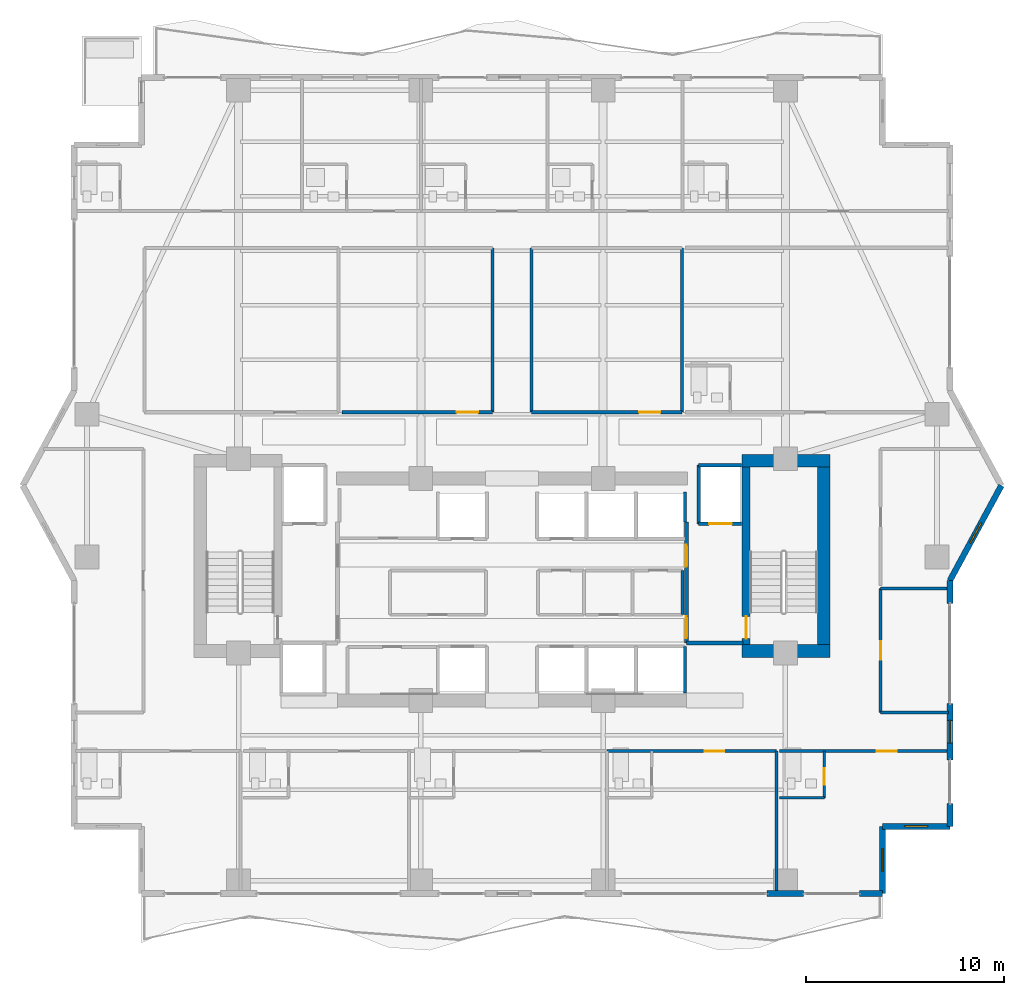
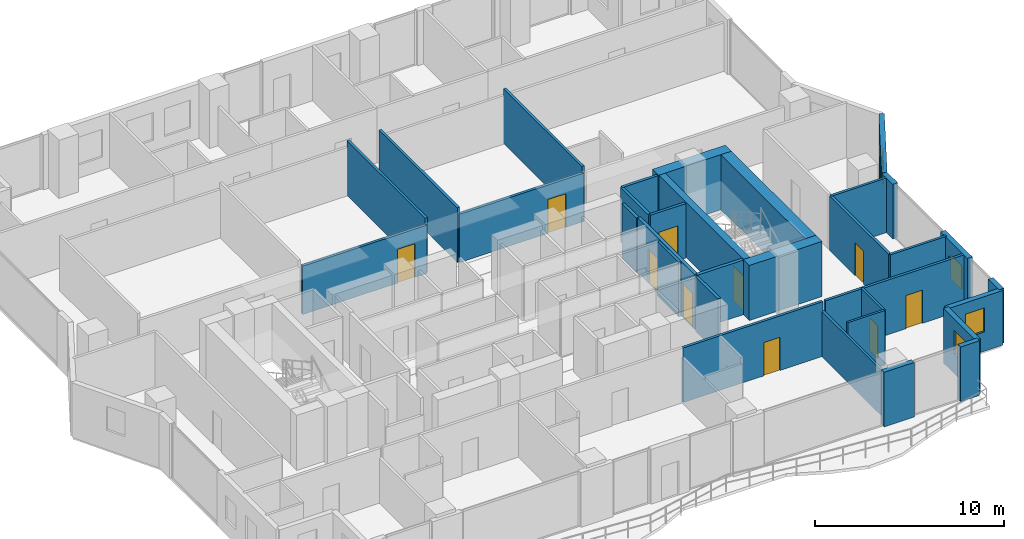
# One storey, part 26 of 32: 33 walls, 10 doors, 4 windows, 14 openings.
"""IFC4 building model written with IfcOpenShell, lengths in metres."""

from ifc_helpers import new_model, si_unit, direction, frame, frame_2d, origin, place, context, subcontext, project, spatial, rectangle, extrude, material, layer, layer_set, type_object, element, fill, save


model = new_model("IFC4")

# Units and contexts
model_context = context("Model", 3, precision=1e-05, world=origin(), true_north=direction((0.0, 1.0)))
body_context = subcontext(model_context, "Body", "Model", "MODEL_VIEW")
ifc_project = project(units=[si_unit("LENGTHUNIT", "METRE"), si_unit("AREAUNIT", "SQUARE_METRE"), si_unit("VOLUMEUNIT", "CUBIC_METRE"), si_unit("PLANEANGLEUNIT", "RADIAN"), si_unit("MASSUNIT", "GRAM", prefix="KILO")], contexts=[model_context])

# Site, building, storey
site_placement = place(None, origin())
site = spatial("IfcSite", under=ifc_project, at=site_placement, CompositionType="ELEMENT")
building_placement = place(site_placement, origin())
building = spatial("IfcBuilding", under=site, at=building_placement, Name="Zuhayl Quay Hotel", CompositionType="ELEMENT")
storey_placement = place(building_placement, frame((0.0, 0.0, 177.39990234375)))
storey = spatial("IfcBuildingStorey", under=building, at=storey_placement, Name="L44", CompositionType="ELEMENT", Elevation=177.39990234375)

# Walls
ifc_material_1 = material(Name="Concrete C50/60", Category="concrete")
ifc_layer_1 = layer(ifc_material_1, 0.64990234375, Name="Concrete C50/60", Category="concrete")
ifc_layer_set_1 = layer_set([ifc_layer_1], Name="Concrete C50/60")
wall_type_1 = type_object("IfcWallType", Name="WL_CORE_650", PredefinedType="SHEAR", material=ifc_layer_set_1)
wall_1_placement = place(storey_placement, frame((11.60009765625, 14.2548828125, 0.0), z_axis=(0.0, 0.0, 1.0), x_axis=(1.0, 0.0, 0.0)))
element("IfcWall", 1, at=wall_1_placement, inside=storey, type_object=wall_type_1, Name="L44 Core Shear Wall CW_NE", PredefinedType="SHEAR", context=body_context, shape_type="SweptSolid", body=[
    extrude(rectangle(XDim=4.4599609375, YDim=0.64990234375, at=frame_2d((2.22998046875, 0.0))), origin(), (0.0, 0.0, 1.0), 3.56005859375),
])
wall_2_placement = place(storey_placement, frame((15.735107421875, 4.969970703125, 0.0), z_axis=(0.0, 0.0, 1.0), x_axis=(0.0, 1.0, 0.0)))
element("IfcWall", 2, at=wall_2_placement, inside=storey, type_object=wall_type_1, Name="L44 Core Shear Wall CW_E", PredefinedType="SHEAR", context=body_context, shape_type="SweptSolid", body=[
    extrude(rectangle(XDim=8.9599609375, YDim=0.64990234375, at=frame_2d((4.47998046875, 0.0))), origin(), (0.0, 0.0, 1.0), 3.56005859375),
])
wall_3_placement = place(storey_placement, frame((11.60009765625, 4.64501953125, 0.0), z_axis=(0.0, 0.0, 1.0), x_axis=(1.0, 0.0, 0.0)))
element("IfcWall", 3, at=wall_3_placement, inside=storey, type_object=wall_type_1, Name="L44 Core Shear Wall CW_SE", PredefinedType="SHEAR", context=body_context, shape_type="SweptSolid", body=[
    extrude(rectangle(XDim=4.4599609375, YDim=0.64990234375, at=frame_2d((2.22998046875, 0.0))), origin(), (0.0, 0.0, 1.0), 3.56005859375),
])

# Wall, opening, window
ifc_material_2 = material(Name="Precast concrete C45/55", Category="concrete")
ifc_layer_2 = layer(ifc_material_2, 0.300048828125, Name="Precast concrete C45/55", Category="concrete")
ifc_layer_set_2 = layer_set([ifc_layer_2], Name="Precast concrete C45/55")
wall_type_2 = type_object("IfcWallType", Name="WL_EXT_300", PredefinedType="STANDARD", material=ifc_layer_set_2)
wall_4_placement = place(storey_placement, frame((24.699951171875, 13.0, 0.0), z_axis=(0.0, 0.0, 1.0), x_axis=(-0.476258655584, -0.879305233114, 0.0)))
wall_4 = element("IfcWall", 4, at=wall_4_placement, inside=storey, type_object=wall_type_2, Name="L44 Exterior Precast Wall ENV_L44_EW13", PredefinedType="STANDARD", context=body_context, shape_type="SweptSolid", body=[
    extrude(rectangle(XDim=5.458984375, YDim=0.300048828125, at=frame_2d((2.7294921875, 0.0))), origin(), (0.0, 0.0, 1.0), 3.530029296875),
])
opening_1_placement = place(wall_4_placement, frame((2.154541015625, 0.0, 1.25)))
opening_1 = element("IfcOpeningElement", 5, at=opening_1_placement, cuts=wall_4, Name="Opening W01N", PredefinedType="OPENING", context=body_context, shape_type="SweptSolid", body=[
    extrude(rectangle(XDim=1.14990234375, YDim=1.550048828125, at=frame_2d((0.574951171875, 0.77490234375))), frame((0.0, 0.159912109375, 0.0), z_axis=(0.0, -1.0, 0.0), x_axis=(1.0, 0.0, 0.0)), (0.0, 0.0, 1.0), 0.320068359375),
])
ifc_material_3 = material(Name="Dark Ceramic-Fritted Solar Glass", Category="glass")
window_type = type_object("IfcWindowType", Name="WN_NOTCH_1350", PartitioningType="SINGLE_PANEL", PredefinedType="WINDOW", material=ifc_material_3)
window_1_placement = place(opening_1_placement, origin())
window_1 = element("IfcWindow", 6, at=window_1_placement, inside=storey, type_object=window_type, Name="L44 Corner Notch Window 13", OverallHeight=1.550048828125, OverallWidth=1.14990234375, PartitioningType="SINGLE_PANEL", PredefinedType="WINDOW", context=body_context, shape_type="SweptSolid", body=[
    extrude(rectangle(XDim=1.14990234375, YDim=1.550048828125, at=frame_2d((0.574951171875, 0.77490234375))), frame((0.0, 0.030029296875, 0.0), z_axis=(0.0, -1.0, 0.0), x_axis=(1.0, 0.0, 0.0)), (0.0, 0.0, 1.0), 0.06005859375),
])
fill(opening_1, window_1)

# Wall
wall_5_placement = place(storey_placement, frame((22.10009765625, 8.199951171875, 0.0), z_axis=(0.0, 0.0, 1.0), x_axis=(0.0, -1.0, 0.0)))
element("IfcWall", 7, at=wall_5_placement, inside=storey, type_object=wall_type_2, Name="L44 Exterior Precast Wall ENV_L44_E14_EW1", PredefinedType="STANDARD", context=body_context, shape_type="SweptSolid", body=[
    extrude(rectangle(XDim=1.14990234375, YDim=0.300048828125, at=frame_2d((0.574951171875, 0.0))), origin(), (0.0, 0.0, 1.0), 3.530029296875),
])

# Wall, opening, window
wall_6_placement = place(storey_placement, frame((22.10009765625, 2.0, 0.0), z_axis=(0.0, 0.0, 1.0), x_axis=(0.0, -1.0, 0.0)))
wall_6 = element("IfcWall", 8, at=wall_6_placement, inside=storey, type_object=wall_type_2, Name="L44 Exterior Precast Wall ENV_L44_E14_EW2", PredefinedType="STANDARD", context=body_context, shape_type="SweptSolid", body=[
    extrude(rectangle(XDim=2.85009765625, YDim=0.300048828125, at=frame_2d((1.425048828125, 0.0))), origin(), (0.0, 0.0, 1.0), 3.530029296875),
])
opening_2_placement = place(wall_6_placement, frame((0.85009765625, 0.0, 0.949951171875)))
opening_2 = element("IfcOpeningElement", 9, at=opening_2_placement, cuts=wall_6, Name="Opening W01N", PredefinedType="OPENING", context=body_context, shape_type="SweptSolid", body=[
    extrude(rectangle(XDim=1.14990234375, YDim=1.550048828125, at=frame_2d((0.574951171875, 0.77490234375))), frame((0.0, 0.159912109375, 0.0), z_axis=(0.0, -1.0, 0.0), x_axis=(1.0, 0.0, 0.0)), (0.0, 0.0, 1.0), 0.320068359375),
])
window_2_placement = place(opening_2_placement, origin())
window_2 = element("IfcWindow", 10, at=window_2_placement, inside=storey, type_object=window_type, Name="L44 Operable Facade Window 2-1", OverallHeight=1.550048828125, OverallWidth=1.14990234375, PartitioningType="SINGLE_PANEL", PredefinedType="WINDOW", context=body_context, shape_type="SweptSolid", body=[
    extrude(rectangle(XDim=1.14990234375, YDim=1.550048828125, at=frame_2d((0.574951171875, 0.77490234375))), frame((0.0, 0.030029296875, 0.0), z_axis=(0.0, -1.0, 0.0), x_axis=(1.0, 0.0, 0.0)), (0.0, 0.0, 1.0), 0.06005859375),
])
fill(opening_2, window_2)

# Wall
wall_7_placement = place(storey_placement, frame((22.10009765625, -3.050048828125, 0.0), z_axis=(0.0, 0.0, 1.0), x_axis=(0.0, -1.0, 0.0)))
element("IfcWall", 11, at=wall_7_placement, inside=storey, type_object=wall_type_2, Name="L44 Exterior Precast Wall ENV_L44_E14_EW3", PredefinedType="STANDARD", context=body_context, shape_type="SweptSolid", body=[
    extrude(rectangle(XDim=1.14990234375, YDim=0.300048828125, at=frame_2d((0.574951171875, 0.0))), origin(), (0.0, 0.0, 1.0), 3.530029296875),
])

# Wall, opening, window
wall_8_placement = place(storey_placement, frame((22.10009765625, -4.199951171875, 0.0), z_axis=(0.0, 0.0, 1.0), x_axis=(-1.0, 0.0, 0.0)))
wall_8 = element("IfcWall", 12, at=wall_8_placement, inside=storey, type_object=wall_type_2, Name="L44 Exterior Precast Wall ENV_L44_EW15", PredefinedType="STANDARD", context=body_context, shape_type="SweptSolid", body=[
    extrude(rectangle(XDim=3.400146484375, YDim=0.300048828125, at=frame_2d((1.7001953125, 0.0))), origin(), (0.0, 0.0, 1.0), 3.530029296875),
])
opening_3_placement = place(wall_8_placement, frame((1.125, 0.0, 1.25)))
opening_3 = element("IfcOpeningElement", 13, at=opening_3_placement, cuts=wall_8, Name="Opening W01N", PredefinedType="OPENING", context=body_context, shape_type="SweptSolid", body=[
    extrude(rectangle(XDim=1.14990234375, YDim=1.550048828125, at=frame_2d((0.574951171875, 0.77490234375))), frame((0.0, 0.159912109375, 0.0), z_axis=(0.0, -1.0, 0.0), x_axis=(1.0, 0.0, 0.0)), (0.0, 0.0, 1.0), 0.320068359375),
])
window_3_placement = place(opening_3_placement, origin())
window_3 = element("IfcWindow", 14, at=window_3_placement, inside=storey, type_object=window_type, Name="L44 Corner Notch Window 15", OverallHeight=1.550048828125, OverallWidth=1.14990234375, PartitioningType="SINGLE_PANEL", PredefinedType="WINDOW", context=body_context, shape_type="SweptSolid", body=[
    extrude(rectangle(XDim=1.14990234375, YDim=1.550048828125, at=frame_2d((0.574951171875, 0.77490234375))), frame((0.0, 0.030029296875, 0.0), z_axis=(0.0, -1.0, 0.0), x_axis=(1.0, 0.0, 0.0)), (0.0, 0.0, 1.0), 0.06005859375),
])
fill(opening_3, window_3)

wall_9_placement = place(storey_placement, frame((18.699951171875, -4.199951171875, 0.0), z_axis=(0.0, 0.0, 1.0), x_axis=(0.0, -1.0, 0.0)))
wall_9 = element("IfcWall", 15, at=wall_9_placement, inside=storey, type_object=wall_type_2, Name="L44 Exterior Precast Wall ENV_L44_EW16", PredefinedType="STANDARD", context=body_context, shape_type="SweptSolid", body=[
    extrude(rectangle(XDim=3.400146484375, YDim=0.300048828125, at=frame_2d((1.7001953125, 0.0))), origin(), (0.0, 0.0, 1.0), 3.530029296875),
])
opening_4_placement = place(wall_9_placement, frame((1.125, 0.0, 1.25)))
opening_4 = element("IfcOpeningElement", 16, at=opening_4_placement, cuts=wall_9, Name="Opening W01N", PredefinedType="OPENING", context=body_context, shape_type="SweptSolid", body=[
    extrude(rectangle(XDim=1.14990234375, YDim=1.550048828125, at=frame_2d((0.574951171875, 0.77490234375))), frame((0.0, 0.159912109375, 0.0), z_axis=(0.0, -1.0, 0.0), x_axis=(1.0, 0.0, 0.0)), (0.0, 0.0, 1.0), 0.320068359375),
])
window_4_placement = place(opening_4_placement, origin())
window_4 = element("IfcWindow", 17, at=window_4_placement, inside=storey, type_object=window_type, Name="L44 Corner Notch Window 16", OverallHeight=1.550048828125, OverallWidth=1.14990234375, PartitioningType="SINGLE_PANEL", PredefinedType="WINDOW", context=body_context, shape_type="SweptSolid", body=[
    extrude(rectangle(XDim=1.14990234375, YDim=1.550048828125, at=frame_2d((0.574951171875, 0.77490234375))), frame((0.0, 0.030029296875, 0.0), z_axis=(0.0, -1.0, 0.0), x_axis=(1.0, 0.0, 0.0)), (0.0, 0.0, 1.0), 0.06005859375),
])
fill(opening_4, window_4)

# Walls
wall_10_placement = place(storey_placement, frame((18.699951171875, -7.60009765625, 0.0), z_axis=(0.0, 0.0, 1.0), x_axis=(-1.0, 0.0, 0.0)))
element("IfcWall", 18, at=wall_10_placement, inside=storey, type_object=wall_type_2, Name="L44 Exterior Precast Wall ENV_L44_S_EW1", PredefinedType="STANDARD", context=body_context, shape_type="SweptSolid", body=[
    extrude(rectangle(XDim=1.14990234375, YDim=0.300048828125, at=frame_2d((0.574951171875, 0.0))), origin(), (0.0, 0.0, 1.0), 3.530029296875),
])
wall_11_placement = place(storey_placement, frame((14.719970703125, -7.60009765625, 0.0), z_axis=(0.0, 0.0, 1.0), x_axis=(-1.0, 0.0, 0.0)))
element("IfcWall", 19, at=wall_11_placement, inside=storey, type_object=wall_type_2, Name="L44 Exterior Precast Wall ENV_L44_S_EW2", PredefinedType="STANDARD", context=body_context, shape_type="SweptSolid", body=[
    extrude(rectangle(XDim=1.840087890625, YDim=0.300048828125, at=frame_2d((0.919921875, 0.0))), origin(), (0.0, 0.0, 1.0), 3.530029296875),
])
ifc_material_4 = material(Name="Acoustic Gypsum Partition STC-58")
ifc_layer_3 = layer(ifc_material_4, 0.14990234375, Name="Acoustic Gypsum Partition STC-58")
ifc_layer_set_3 = layer_set([ifc_layer_3], Name="Acoustic Gypsum Partition STC-58")
wall_type_3 = type_object("IfcWallType", Name="WL_PART_150", PredefinedType="PARTITIONING", material=ifc_layer_set_3)
wall_12_placement = place(storey_placement, frame((8.610107421875, 6.47998046875, 0.0), z_axis=(0.0, 0.0, 1.0), x_axis=(0.0, 1.0, 0.0)))
element("IfcWall", 20, at=wall_12_placement, inside=storey, type_object=wall_type_3, Name="L44 Partition IW_L44_CORE_E3_E", PredefinedType="PARTITIONING", context=body_context, shape_type="SweptSolid", body=[
    extrude(rectangle(XDim=2.239990234375, YDim=0.14990234375, at=frame_2d((1.1201171875, 0.0))), origin(), (0.0, 0.0, 1.0), 3.530029296875),
])
for number, where, z_axis, x_axis, name in (
    (21, (-0.97998046875, 16.699951171875, 0.0), (0.0, 0.0, 1.0), (0.0, 1.0, 0.0), "L44 Partition IW_L44_Z3_SAL_W2_E"),
    (22, (0.97998046875, 16.699951171875, 0.0), (0.0, 0.0, 1.0), (0.0, 1.0, 0.0), "L44 Partition IW_L44_Z3_SAL_E1_W"),
    (23, (8.590087890625, 16.699951171875, 0.0), (0.0, 0.0, 1.0), (0.0, 1.0, 0.0), "L44 Partition IW_L44_Z3_SAL_E1_E"),
):
    element("IfcWall", number, at=place(storey_placement, frame(where, z_axis=z_axis, x_axis=x_axis)), inside=storey, type_object=wall_type_3, Name=name, PredefinedType="PARTITIONING", context=body_context, shape_type="SweptSolid", body=[
        extrude(rectangle(XDim=8.300048828125, YDim=0.14990234375, at=frame_2d((4.14990234375, 0.0))), origin(), (0.0, 0.0, 1.0), 3.530029296875),
    ])
wall_13_placement = place(storey_placement, frame((13.340087890625, -7.52001953125, 0.0), z_axis=(0.0, 0.0, 1.0), x_axis=(0.0, 1.0, 0.0)))
element("IfcWall", 24, at=wall_13_placement, inside=storey, type_object=wall_type_3, Name="L44 Partition IW_L44_SU03A_E", PredefinedType="PARTITIONING", context=body_context, shape_type="SweptSolid", body=[
    extrude(rectangle(XDim=7.1201171875, YDim=0.14990234375, at=frame_2d((3.56005859375, 0.0))), origin(), (0.0, 0.0, 1.0), 2.923095703125),
])
for number, where, z_axis, x_axis, name in (
    (25, (18.60009765625, 1.550048828125, 0.0), (0.0, 0.0, 1.0), (1.0, 0.0, 0.0), "L44 Partition IW_L44_HK_MAIN_S"),
    (26, (18.60009765625, 7.800048828125, 0.0), (0.0, 0.0, 1.0), (1.0, 0.0, 0.0), "L44 Partition IW_L44_HK_MAIN_N"),
):
    element("IfcWall", number, at=place(storey_placement, frame(where, z_axis=z_axis, x_axis=x_axis)), inside=storey, type_object=wall_type_3, Name=name, PredefinedType="PARTITIONING", context=body_context, shape_type="SweptSolid", body=[
        extrude(rectangle(XDim=3.43994140625, YDim=0.14990234375, at=frame_2d((1.719970703125, 0.0))), origin(), (0.0, 0.0, 1.0), 3.530029296875),
    ])

# Wall, opening, door
ifc_layer_4 = layer(ifc_material_4, 0.159912109375, Name="Acoustic Gypsum Partition STC-58")
ifc_layer_set_4 = layer_set([ifc_layer_4], Name="Acoustic Gypsum Partition STC-58")
wall_type_4 = type_object("IfcWallType", Name="WL_PART_CORR_160", PredefinedType="PARTITIONING", material=ifc_layer_set_4)
wall_14_placement = place(storey_placement, frame((-8.590087890625, 16.699951171875, 0.0), z_axis=(0.0, 0.0, 1.0), x_axis=(1.0, 0.0, 0.0)))
wall_14 = element("IfcWall", 27, at=wall_14_placement, inside=storey, type_object=wall_type_4, Name="L44 Partition IW_L44_Z3_SAL_W2_S", PredefinedType="PARTITIONING", context=body_context, shape_type="SweptSolid", body=[
    extrude(rectangle(XDim=7.610107421875, YDim=0.159912109375, at=frame_2d((3.80517578125, 0.0))), origin(), (0.0, 0.0, 1.0), 3.1240234375),
])
opening_5_placement = place(wall_14_placement, frame((5.800048828125, 0.0, 0.0)))
opening_5 = element("IfcOpeningElement", 28, at=opening_5_placement, cuts=wall_14, Name="Opening D05A", PredefinedType="OPENING", context=body_context, shape_type="SweptSolid", body=[
    extrude(rectangle(XDim=1.080078125, YDim=2.179931640625, at=frame_2d((0.5400390625, 1.08984375))), frame((0.0, 0.08984375, 0.0), z_axis=(0.0, -1.0, 0.0), x_axis=(1.0, 0.0, 0.0)), (0.0, 0.0, 1.0), 0.179931640625),
])
ifc_material_5 = material(Name="Solid Walnut Acoustic Fire Door")
door_type_1 = type_object("IfcDoorType", Name="DR_INT_1100", OperationType="NOTDEFINED", PredefinedType="DOOR", material=ifc_material_5)
door_1_placement = place(opening_5_placement, origin())
door_1 = element("IfcDoor", 29, at=door_1_placement, inside=storey, type_object=door_type_1, Name="L44 Spa Reading Lounge Door", OperationType="SINGLE_SWING_LEFT", OverallHeight=2.179931640625, OverallWidth=1.080078125, PredefinedType="DOOR", context=body_context, shape_type="SweptSolid", body=[
    extrude(rectangle(XDim=1.080078125, YDim=2.179931640625, at=frame_2d((0.5400390625, 1.08984375))), frame((0.0, 0.02490234375, 0.0), z_axis=(0.0, -1.0, 0.0), x_axis=(1.0, 0.0, 0.0)), (0.0, 0.0, 1.0), 0.050048828125),
])
fill(opening_5, door_1)

wall_15_placement = place(storey_placement, frame((0.97998046875, 16.699951171875, 0.0), z_axis=(0.0, 0.0, 1.0), x_axis=(1.0, 0.0, 0.0)))
wall_15 = element("IfcWall", 30, at=wall_15_placement, inside=storey, type_object=wall_type_4, Name="L44 Partition IW_L44_Z3_SAL_E1_S", PredefinedType="PARTITIONING", context=body_context, shape_type="SweptSolid", body=[
    extrude(rectangle(XDim=7.610107421875, YDim=0.159912109375, at=frame_2d((3.80517578125, 0.0))), origin(), (0.0, 0.0, 1.0), 3.1240234375),
])
opening_6_placement = place(wall_15_placement, frame((5.429931640625, 0.0, 0.0)))
opening_6 = element("IfcOpeningElement", 31, at=opening_6_placement, cuts=wall_15, Name="Opening D05A", PredefinedType="OPENING", context=body_context, shape_type="SweptSolid", body=[
    extrude(rectangle(XDim=1.080078125, YDim=2.179931640625, at=frame_2d((0.5400390625, 1.08984375))), frame((0.0, 0.08984375, 0.0), z_axis=(0.0, -1.0, 0.0), x_axis=(1.0, 0.0, 0.0)), (0.0, 0.0, 1.0), 0.179931640625),
])
door_2_placement = place(opening_6_placement, origin())
door_2 = element("IfcDoor", 32, at=door_2_placement, inside=storey, type_object=door_type_1, Name="L44 Club Concierge Salon Door", OperationType="SINGLE_SWING_RIGHT", OverallHeight=2.179931640625, OverallWidth=1.080078125, PredefinedType="DOOR", context=body_context, shape_type="SweptSolid", body=[
    extrude(rectangle(XDim=1.080078125, YDim=2.179931640625, at=frame_2d((0.5400390625, 1.08984375))), frame((0.0, 0.02490234375, 0.0), z_axis=(0.0, -1.0, 0.0), x_axis=(1.0, 0.0, 0.0)), (0.0, 0.0, 1.0), 0.050048828125),
])
fill(opening_6, door_2)

wall_16_placement = place(storey_placement, frame((4.800048828125, -0.39990234375, 0.0), z_axis=(0.0, 0.0, 1.0), x_axis=(1.0, 0.0, 0.0)))
wall_16 = element("IfcWall", 33, at=wall_16_placement, inside=storey, type_object=wall_type_4, Name="L44 Partition IW_L44_SU03A_COR", PredefinedType="PARTITIONING", context=body_context, shape_type="SweptSolid", body=[
    extrude(rectangle(XDim=8.5400390625, YDim=0.159912109375, at=frame_2d((4.27001953125, 0.0))), origin(), (0.0, 0.0, 1.0), 3.530029296875),
])
opening_7_placement = place(wall_16_placement, frame((4.919921875, 0.0, 0.0)))
opening_7 = element("IfcOpeningElement", 34, at=opening_7_placement, cuts=wall_16, Name="Opening D03L", PredefinedType="OPENING", context=body_context, shape_type="SweptSolid", body=[
    extrude(rectangle(XDim=1.0, YDim=2.14990234375, at=frame_2d((0.5, 1.074951171875))), frame((0.0, 0.08984375, 0.0), z_axis=(0.0, -1.0, 0.0), x_axis=(1.0, 0.0, 0.0)), (0.0, 0.0, 1.0), 0.179931640625),
])
door_type_2 = type_object("IfcDoorType", Name="DR_SUITE_1000", OperationType="NOTDEFINED", PredefinedType="DOOR", material=ifc_material_5)
door_3_placement = place(opening_7_placement, origin())
door_3 = element("IfcDoor", 35, at=door_3_placement, inside=storey, type_object=door_type_2, Name="L44 City-View Junior Suite L44-03A Entrance Door", OperationType="SINGLE_SWING_RIGHT", OverallHeight=2.14990234375, OverallWidth=1.0, PredefinedType="DOOR", context=body_context, shape_type="SweptSolid", body=[
    extrude(rectangle(XDim=1.0, YDim=2.14990234375, at=frame_2d((0.5, 1.074951171875))), frame((0.0, 0.02490234375, 0.0), z_axis=(0.0, -1.0, 0.0), x_axis=(1.0, 0.0, 0.0)), (0.0, 0.0, 1.0), 0.050048828125),
])
fill(opening_7, door_3)

wall_17_placement = place(storey_placement, frame((13.5, -0.39990234375, 0.0), z_axis=(0.0, 0.0, 1.0), x_axis=(1.0, 0.0, 0.0)))
wall_17 = element("IfcWall", 36, at=wall_17_placement, inside=storey, type_object=wall_type_4, Name="L44 Partition IW_L44_SU03B_COR", PredefinedType="PARTITIONING", context=body_context, shape_type="SweptSolid", body=[
    extrude(rectangle(XDim=8.5400390625, YDim=0.159912109375, at=frame_2d((4.27001953125, 0.0))), origin(), (0.0, 0.0, 1.0), 3.530029296875),
])
opening_8_placement = place(wall_17_placement, frame((4.919921875, 0.0, 0.0)))
opening_8 = element("IfcOpeningElement", 37, at=opening_8_placement, cuts=wall_17, Name="Opening D03L", PredefinedType="OPENING", context=body_context, shape_type="SweptSolid", body=[
    extrude(rectangle(XDim=1.0, YDim=2.14990234375, at=frame_2d((0.5, 1.074951171875))), frame((0.0, 0.08984375, 0.0), z_axis=(0.0, -1.0, 0.0), x_axis=(1.0, 0.0, 0.0)), (0.0, 0.0, 1.0), 0.179931640625),
])
door_4_placement = place(opening_8_placement, origin())
door_4 = element("IfcDoor", 38, at=door_4_placement, inside=storey, type_object=door_type_2, Name="L44 City-View Junior Suite L44-03B Entrance Door", OperationType="SINGLE_SWING_RIGHT", OverallHeight=2.14990234375, OverallWidth=1.0, PredefinedType="DOOR", context=body_context, shape_type="SweptSolid", body=[
    extrude(rectangle(XDim=1.0, YDim=2.14990234375, at=frame_2d((0.5, 1.074951171875))), frame((0.0, 0.02490234375, 0.0), z_axis=(0.0, -1.0, 0.0), x_axis=(1.0, 0.0, 0.0)), (0.0, 0.0, 1.0), 0.050048828125),
])
fill(opening_8, door_4)

wall_18_placement = place(storey_placement, frame((18.60009765625, 1.550048828125, 0.0), z_axis=(0.0, 0.0, 1.0), x_axis=(0.0, 1.0, 0.0)))
wall_18 = element("IfcWall", 39, at=wall_18_placement, inside=storey, type_object=wall_type_4, Name="L44 Partition IW_L44_HK_MAIN_W", PredefinedType="PARTITIONING", context=body_context, shape_type="SweptSolid", body=[
    extrude(rectangle(XDim=6.25, YDim=0.159912109375, at=frame_2d((3.125, 0.0))), origin(), (0.0, 0.0, 1.0), 3.530029296875),
])
opening_9_placement = place(wall_18_placement, frame((2.6650390625, 0.0, 0.0)))
opening_9 = element("IfcOpeningElement", 40, at=opening_9_placement, cuts=wall_18, Name="Opening D05", PredefinedType="OPENING", context=body_context, shape_type="SweptSolid", body=[
    extrude(rectangle(XDim=0.919921875, YDim=2.1201171875, at=frame_2d((0.4599609375, 1.06005859375))), frame((0.0, 0.08984375, 0.0), z_axis=(0.0, -1.0, 0.0), x_axis=(1.0, 0.0, 0.0)), (0.0, 0.0, 1.0), 0.179931640625),
])
door_type_3 = type_object("IfcDoorType", Name="DR_INT_950", OperationType="NOTDEFINED", PredefinedType="DOOR", material=ifc_material_5)
door_5_placement = place(opening_9_placement, origin())
door_5 = element("IfcDoor", 41, at=door_5_placement, inside=storey, type_object=door_type_3, Name="L44 Housekeeping and Linen Room Door", OperationType="SINGLE_SWING_LEFT", OverallHeight=2.1201171875, OverallWidth=0.919921875, PredefinedType="DOOR", context=body_context, shape_type="SweptSolid", body=[
    extrude(rectangle(XDim=0.919921875, YDim=2.1201171875, at=frame_2d((0.4599609375, 1.06005859375))), frame((0.0, 0.02490234375, 0.0), z_axis=(0.0, -1.0, 0.0), x_axis=(1.0, 0.0, 0.0)), (0.0, 0.0, 1.0), 0.050048828125),
])
fill(opening_9, door_5)

ifc_material_6 = material(Name="Moisture-Resistant Sanitarychase Gypsum")
ifc_layer_5 = layer(ifc_material_6, 0.135009765625, Name="Moisture-Resistant Sanitarychase Gypsum")
ifc_layer_set_5 = layer_set([ifc_layer_5], Name="Moisture-Resistant Sanitarychase Gypsum")
wall_type_5 = type_object("IfcWallType", Name="WL_PART_PLUMB_150", PredefinedType="PLUMBINGWALL", material=ifc_layer_set_5)
wall_19_placement = place(storey_placement, frame((15.760009765625, -2.760009765625, 0.0), z_axis=(0.0, 0.0, 1.0), x_axis=(0.0, 1.0, 0.0)))
wall_19 = element("IfcWall", 42, at=wall_19_placement, inside=storey, type_object=wall_type_5, Name="L44 Partition IW_L44_SU03B_BE", PredefinedType="PLUMBINGWALL", context=body_context, shape_type="SweptSolid", body=[
    extrude(rectangle(XDim=2.360107421875, YDim=0.135009765625, at=frame_2d((1.18017578125, 0.0))), origin(), (0.0, 0.0, 1.0), 3.530029296875),
])
opening_10_placement = place(wall_19_placement, frame((0.64990234375, 0.0, 0.0)))
opening_10 = element("IfcOpeningElement", 43, at=opening_10_placement, cuts=wall_19, Name="Opening D04", PredefinedType="OPENING", context=body_context, shape_type="SweptSolid", body=[
    extrude(rectangle(XDim=0.85009765625, YDim=2.10009765625, at=frame_2d((0.425048828125, 1.050048828125))), frame((0.0, 0.077392578125, 0.0), z_axis=(0.0, -1.0, 0.0), x_axis=(1.0, 0.0, 0.0)), (0.0, 0.0, 1.0), 0.155029296875),
])
ifc_material_7 = material(Name="Moisture-Resistant Walnut Veneer")
door_type_4 = type_object("IfcDoorType", Name="DR_BATH_850", OperationType="NOTDEFINED", PredefinedType="DOOR", material=ifc_material_7)
door_6_placement = place(opening_10_placement, origin())
door_6 = element("IfcDoor", 44, at=door_6_placement, inside=storey, type_object=door_type_4, Name="L44 City-View Junior Suite L44-03B En-Suite Door", OperationType="SINGLE_SWING_LEFT", OverallHeight=2.10009765625, OverallWidth=0.85009765625, PredefinedType="DOOR", context=body_context, shape_type="SweptSolid", body=[
    extrude(rectangle(XDim=0.85009765625, YDim=2.10009765625, at=frame_2d((0.425048828125, 1.050048828125))), frame((0.0, 0.02490234375, 0.0), z_axis=(0.0, -1.0, 0.0), x_axis=(1.0, 0.0, 0.0)), (0.0, 0.0, 1.0), 0.050048828125),
])
fill(opening_10, door_6)

# Wall
wall_20_placement = place(storey_placement, frame((13.5, -2.760009765625, 0.0), z_axis=(0.0, 0.0, 1.0), x_axis=(1.0, 0.0, 0.0)))
element("IfcWall", 45, at=wall_20_placement, inside=storey, type_object=wall_type_5, Name="L44 Partition IW_L44_SU03B_BS", PredefinedType="PLUMBINGWALL", context=body_context, shape_type="SweptSolid", body=[
    extrude(rectangle(XDim=2.260009765625, YDim=0.135009765625, at=frame_2d((1.1298828125, 0.0))), origin(), (0.0, 0.0, 1.0), 3.530029296875),
])

# Wall, opening, door
ifc_material_8 = material(Name="Gypsum Fireboard Assembly EI-90")
ifc_layer_6 = layer(ifc_material_8, 0.1650390625, Name="Gypsum Fireboard Assembly EI-90")
ifc_layer_set_6 = layer_set([ifc_layer_6], Name="Gypsum Fireboard Assembly EI-90")
wall_type_6 = type_object("IfcWallType", Name="WL_PART_SHAFT_160", PredefinedType="PARTITIONING", material=ifc_layer_set_6)
wall_21_placement = place(storey_placement, frame((9.419921875, 11.070068359375, 0.0), z_axis=(0.0, 0.0, 1.0), x_axis=(1.0, 0.0, 0.0)))
wall_21 = element("IfcWall", 46, at=wall_21_placement, inside=storey, type_object=wall_type_6, Name="L44 Partition IW_L44_SH_FL2_F", PredefinedType="PARTITIONING", context=body_context, shape_type="SweptSolid", body=[
    extrude(rectangle(XDim=2.16015625, YDim=0.1650390625, at=frame_2d((1.080078125, 0.0))), origin(), (0.0, 0.0, 1.0), 3.530029296875),
])
opening_11_placement = place(wall_21_placement, frame((0.530029296875, 0.0, 0.0)))
opening_11 = element("IfcOpeningElement", 47, at=opening_11_placement, cuts=wall_21, Name="Opening LD2", PredefinedType="OPENING", context=body_context, shape_type="SweptSolid", body=[
    extrude(rectangle(XDim=1.14990234375, YDim=2.25, at=frame_2d((0.574951171875, 1.125))), frame((0.0, 0.092529296875, 0.0), z_axis=(0.0, -1.0, 0.0), x_axis=(1.0, 0.0, 0.0)), (0.0, 0.0, 1.0), 0.18505859375),
])
ifc_material_9 = material(Name="Brushed Stainless Steel", Category="steel")
door_type_5 = type_object("IfcDoorType", Name="DR_LIFT_FF_1100", OperationType="SLIDING_TO_LEFT", PredefinedType="DOOR", material=ifc_material_9)
door_7_placement = place(opening_11_placement, origin())
door_7 = element("IfcDoor", 48, at=door_7_placement, inside=storey, type_object=door_type_5, Name="L44 Lift FL2 Sliding Landing Door", OperationType="SLIDING_TO_LEFT", OverallHeight=2.25, OverallWidth=1.14990234375, PredefinedType="DOOR", context=body_context, shape_type="SweptSolid", body=[
    extrude(rectangle(XDim=1.14990234375, YDim=2.25, at=frame_2d((0.574951171875, 1.125))), frame((0.0, 0.02490234375, 0.0), z_axis=(0.0, -1.0, 0.0), x_axis=(1.0, 0.0, 0.0)), (0.0, 0.0, 1.0), 0.050048828125),
])
fill(opening_11, door_7)

# Walls
wall_22_placement = place(storey_placement, frame((9.419921875, 11.070068359375, 0.0), z_axis=(0.0, 0.0, 1.0), x_axis=(0.0, 1.0, 0.0)))
element("IfcWall", 49, at=wall_22_placement, inside=storey, type_object=wall_type_6, Name="L44 Partition IW_L44_SH_FL2_W", PredefinedType="PARTITIONING", context=body_context, shape_type="SweptSolid", body=[
    extrude(rectangle(XDim=2.9599609375, YDim=0.1650390625, at=frame_2d((1.47998046875, 0.0))), origin(), (0.0, 0.0, 1.0), 3.530029296875),
])
wall_23_placement = place(storey_placement, frame((9.419921875, 14.030029296875, 0.0), z_axis=(0.0, 0.0, 1.0), x_axis=(1.0, 0.0, 0.0)))
element("IfcWall", 50, at=wall_23_placement, inside=storey, type_object=wall_type_6, Name="L44 Partition IW_L44_SH_FL2_B", PredefinedType="PARTITIONING", context=body_context, shape_type="SweptSolid", body=[
    extrude(rectangle(XDim=2.16015625, YDim=0.1650390625, at=frame_2d((1.080078125, 0.0))), origin(), (0.0, 0.0, 1.0), 3.530029296875),
])
wall_24_placement = place(storey_placement, frame((8.72998046875, 2.52001953125, 0.0), z_axis=(0.0, 0.0, 1.0), x_axis=(0.0, 1.0, 0.0)))
element("IfcWall", 51, at=wall_24_placement, inside=storey, type_object=wall_type_6, Name="L44 Partition IW_L44_SH_HP2_E", PredefinedType="PARTITIONING", context=body_context, shape_type="SweptSolid", body=[
    extrude(rectangle(XDim=2.35986328125, YDim=0.1650390625, at=frame_2d((1.179931640625, 0.0))), origin(), (0.0, 0.0, 1.0), 3.530029296875),
])
wall_25_placement = place(storey_placement, frame((8.72998046875, 11.14990234375, 0.0), z_axis=(0.0, 0.0, 1.0), x_axis=(0.0, 1.0, 0.0)))
element("IfcWall", 52, at=wall_25_placement, inside=storey, type_object=wall_type_6, Name="L44 Partition IW_L44_SH_HP4_E", PredefinedType="PARTITIONING", context=body_context, shape_type="SweptSolid", body=[
    extrude(rectangle(XDim=1.530029296875, YDim=0.1650390625, at=frame_2d((0.76513671875, 0.0))), origin(), (0.0, 0.0, 1.0), 3.530029296875),
])

# Wall, openings, doors
ifc_material_10 = material(Name="Gypsum Fireboard Assembly EI-120")
ifc_layer_7 = layer(ifc_material_10, 0.199951171875, Name="Gypsum Fireboard Assembly EI-120")
ifc_layer_set_7 = layer_set([ifc_layer_7], Name="Gypsum Fireboard Assembly EI-120")
wall_type_7 = type_object("IfcWallType", Name="WL_PART_SHAFT_200", PredefinedType="PARTITIONING", material=ifc_layer_set_7)
wall_26_placement = place(storey_placement, frame((8.800048828125, 11.14990234375, 0.0), z_axis=(0.0, 0.0, 1.0), x_axis=(0.0, -1.0, 0.0)))
wall_26 = element("IfcWall", 53, at=wall_26_placement, inside=storey, type_object=wall_type_7, Name="L44 Partition IW_L44_FSAE_E_W", PredefinedType="PARTITIONING", context=body_context, shape_type="SweptSolid", body=[
    extrude(rectangle(XDim=6.099853515625, YDim=0.199951171875, at=frame_2d((3.0498046875, 0.0))), origin(), (0.0, 0.0, 1.0), 3.530029296875),
])
opening_12_placement = place(wall_26_placement, frame((1.14990234375, 0.0, 0.0)))
opening_12 = element("IfcOpeningElement", 54, at=opening_12_placement, cuts=wall_26, Name="Opening D02", PredefinedType="OPENING", context=body_context, shape_type="SweptSolid", body=[
    extrude(rectangle(XDim=1.10009765625, YDim=2.199951171875, at=frame_2d((0.550048828125, 1.10009765625))), frame((0.0, 0.10986328125, 0.0), z_axis=(0.0, -1.0, 0.0), x_axis=(1.0, 0.0, 0.0)), (0.0, 0.0, 1.0), 0.219970703125),
])
opening_13_placement = place(wall_26_placement, frame((4.75, 0.0, 0.0)))
opening_13 = element("IfcOpeningElement", 55, at=opening_13_placement, cuts=wall_26, Name="Opening D02", PredefinedType="OPENING", context=body_context, shape_type="SweptSolid", body=[
    extrude(rectangle(XDim=1.10009765625, YDim=2.199951171875, at=frame_2d((0.550048828125, 1.10009765625))), frame((0.0, 0.10986328125, 0.0), z_axis=(0.0, -1.0, 0.0), x_axis=(1.0, 0.0, 0.0)), (0.0, 0.0, 1.0), 0.219970703125),
])
ifc_material_11 = material(Name="Steel ASTM A992 Grade 50", Category="steel")
door_type_6 = type_object("IfcDoorType", Name="DR_FIRE_90_1100", OperationType="NOTDEFINED", PredefinedType="DOOR", material=ifc_material_11)
door_8_placement = place(opening_12_placement, origin())
door_8 = element("IfcDoor", 56, at=door_8_placement, inside=storey, type_object=door_type_6, Name="L44 FSAE Lobby East North Entry Door", OperationType="SINGLE_SWING_RIGHT", OverallHeight=2.199951171875, OverallWidth=1.10009765625, PredefinedType="DOOR", context=body_context, shape_type="SweptSolid", body=[
    extrude(rectangle(XDim=1.10009765625, YDim=2.199951171875, at=frame_2d((0.550048828125, 1.10009765625))), frame((0.0, 0.02490234375, 0.0), z_axis=(0.0, -1.0, 0.0), x_axis=(1.0, 0.0, 0.0)), (0.0, 0.0, 1.0), 0.050048828125),
])
fill(opening_12, door_8)
door_9_placement = place(opening_13_placement, origin())
door_9 = element("IfcDoor", 57, at=door_9_placement, inside=storey, type_object=door_type_6, Name="L44 FSAE Lobby East South Entry Door", OperationType="SINGLE_SWING_LEFT", OverallHeight=2.199951171875, OverallWidth=1.10009765625, PredefinedType="DOOR", context=body_context, shape_type="SweptSolid", body=[
    extrude(rectangle(XDim=1.10009765625, YDim=2.199951171875, at=frame_2d((0.550048828125, 1.10009765625))), frame((0.0, 0.02490234375, 0.0), z_axis=(0.0, -1.0, 0.0), x_axis=(1.0, 0.0, 0.0)), (0.0, 0.0, 1.0), 0.050048828125),
])
fill(opening_13, door_9)

# Wall
wall_27_placement = place(storey_placement, frame((8.800048828125, 5.050048828125, 0.0), z_axis=(0.0, 0.0, 1.0), x_axis=(1.0, 0.0, 0.0)))
element("IfcWall", 58, at=wall_27_placement, inside=storey, type_object=wall_type_7, Name="L44 Partition IW_L44_FSAE_E_S", PredefinedType="PARTITIONING", context=body_context, shape_type="SweptSolid", body=[
    extrude(rectangle(XDim=2.849853515625, YDim=0.199951171875, at=frame_2d((1.4248046875, 0.0))), origin(), (0.0, 0.0, 1.0), 3.530029296875),
])

# Wall, opening, door
ifc_material_12 = material(Name="Concrete C60/75", Category="concrete")
ifc_layer_8 = layer(ifc_material_12, 0.39990234375, Name="Concrete C60/75", Category="concrete")
ifc_layer_set_8 = layer_set([ifc_layer_8], Name="Concrete C60/75")
wall_type_8 = type_object("IfcWallType", Name="WL_STAIR_400", PredefinedType="SHEAR", material=ifc_layer_set_8)
wall_28_placement = place(storey_placement, frame((11.820068359375, 13.929931640625, 0.0), z_axis=(0.0, 0.0, 1.0), x_axis=(0.0, -1.0, 0.0)))
wall_28 = element("IfcWall", 59, at=wall_28_placement, inside=storey, type_object=wall_type_8, Name="L44 Core Shear Wall SW_ST2", PredefinedType="SHEAR", context=body_context, shape_type="SweptSolid", body=[
    extrude(rectangle(XDim=8.9599609375, YDim=0.39990234375, at=frame_2d((4.47998046875, 0.0))), origin(), (0.0, 0.0, 1.0), 3.56005859375),
])
opening_14_placement = place(wall_28_placement, frame((7.530029296875, 0.0, 0.0)))
opening_14 = element("IfcOpeningElement", 60, at=opening_14_placement, cuts=wall_28, Name="Opening D01", PredefinedType="OPENING", context=body_context, shape_type="SweptSolid", body=[
    extrude(rectangle(XDim=1.1201171875, YDim=2.219970703125, at=frame_2d((0.56005859375, 1.10986328125))), frame((0.0, 0.2099609375, 0.0), z_axis=(0.0, -1.0, 0.0), x_axis=(1.0, 0.0, 0.0)), (0.0, 0.0, 1.0), 0.419921875),
])
door_type_7 = type_object("IfcDoorType", Name="DR_STAIR_90_1100", OperationType="NOTDEFINED", PredefinedType="DOOR", material=ifc_material_11)
door_10_placement = place(opening_14_placement, origin())
door_10 = element("IfcDoor", 61, at=door_10_placement, inside=storey, type_object=door_type_7, Name="L44 Smokeproof Exit Stair ST2 Door", OperationType="SINGLE_SWING_RIGHT", OverallHeight=2.219970703125, OverallWidth=1.1201171875, PredefinedType="DOOR", context=body_context, shape_type="SweptSolid", body=[
    extrude(rectangle(XDim=1.1201171875, YDim=2.219970703125, at=frame_2d((0.56005859375, 1.10986328125))), frame((0.0, 0.02490234375, 0.0), z_axis=(0.0, -1.0, 0.0), x_axis=(1.0, 0.0, 0.0)), (0.0, 0.0, 1.0), 0.050048828125),
])
fill(opening_14, door_10)

save(model, "model.ifc")
